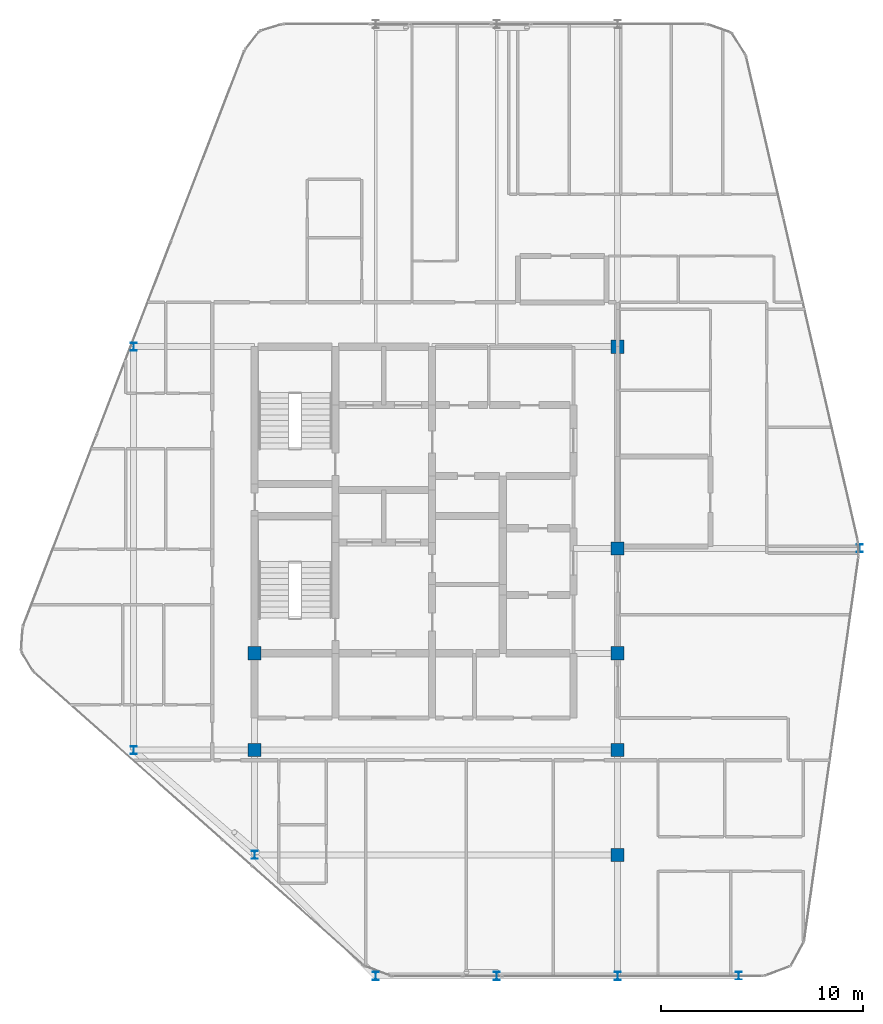
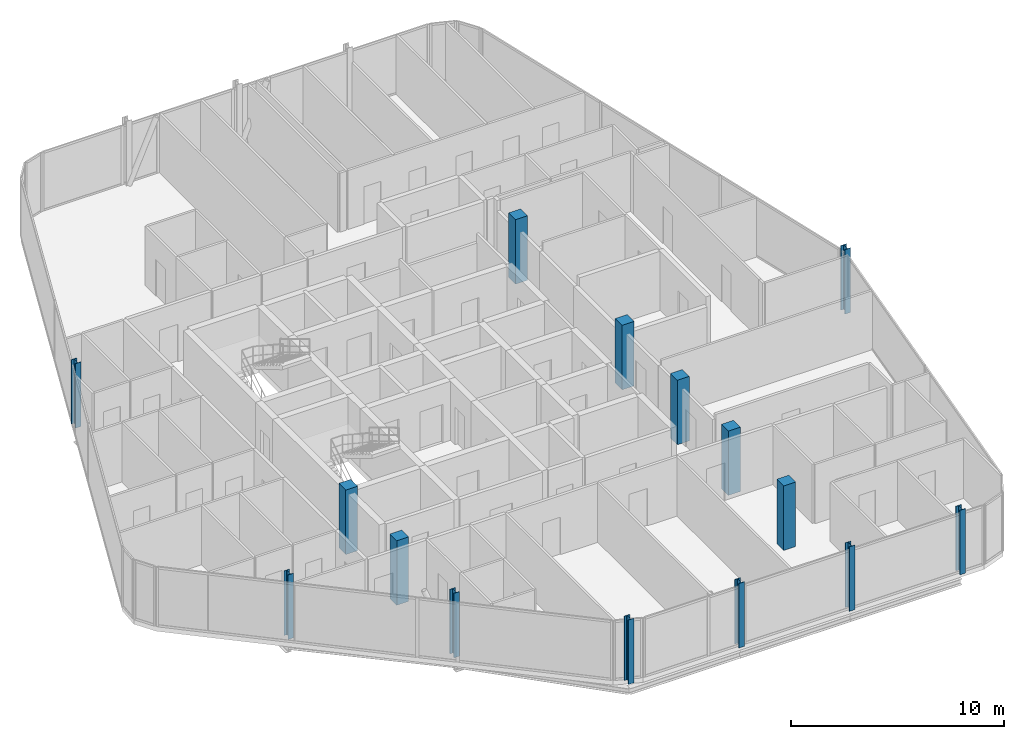
# One storey, part 1 of 27: 15 columns.
"""IFC4 building model written with IfcOpenShell, lengths in metres."""

from ifc_helpers import new_model, si_unit, direction, frame, origin, origin_2d, place, context, subcontext, project, spatial, rectangle, i_section, extrude, material, material_profile, profile_set, type_object, element, save


model = new_model("IFC4")

# Units and contexts
model_context = context("Model", 3, precision=1e-05, world=origin(), true_north=direction((0.0, 1.0)))
body_context = subcontext(model_context, "Body", "Model", "MODEL_VIEW")
ifc_project = project(units=[si_unit("LENGTHUNIT", "METRE"), si_unit("AREAUNIT", "SQUARE_METRE"), si_unit("VOLUMEUNIT", "CUBIC_METRE"), si_unit("PLANEANGLEUNIT", "RADIAN"), si_unit("MASSUNIT", "GRAM", prefix="KILO")], contexts=[model_context])

# Site, building, storey
site_placement = place(None, origin())
site = spatial("IfcSite", under=ifc_project, at=site_placement, CompositionType="ELEMENT")
building_placement = place(site_placement, origin())
building = spatial("IfcBuilding", under=site, at=building_placement, Name="Keshet Zoharim Tower", CompositionType="ELEMENT")
storey_placement = place(building_placement, frame((0.0, 0.0, 291.699951171875)))
storey = spatial("IfcBuildingStorey", under=building, at=storey_placement, Name="L73", CompositionType="ELEMENT", Elevation=291.699951171875)

# Columns
ifc_material_1 = material(Name="Steel S355", Category="steel")
ifc_material_profile_1 = material_profile(ifc_material_1, i_section(OverallWidth=0.300048828125, OverallDepth=0.39990234375, WebThickness=0.013427734375, FlangeThickness=0.02392578125, FilletRadius=0.027099609375, at=origin_2d()), Name="HEB400")
ifc_profile_set_1 = profile_set([ifc_material_profile_1], Name="Steel S355")
column_type_1 = type_object("IfcColumnType", Name="COL-HEB400", PredefinedType="COLUMN", material=ifc_profile_set_1)
for number, where, z_axis, x_axis, name in (
    (1, (9.0, 17.89990234375, 0.0), (0.0, 0.0, 1.0), (1.0, 0.0, 0.0), "L73 Column 2D"),
    (2, (9.0, 37.89990234375, 0.0), (0.0, 0.0, 1.0), (1.0, 0.0, 0.0), "L73 Column 2H"),
    (3, (15.0, 12.699951171875, 0.0), (0.0, 0.0, 1.0), (1.0, 0.0, 0.0), "L73 Column 3C"),
    (4, (21.0, 6.699951171875, 0.0), (0.0, 0.0, 1.0), (1.0, 0.0, 0.0), "L73 Column 4B"),
    (5, (27.0, 6.699951171875, 0.0), (0.0, 0.0, 1.0), (1.0, 0.0, 0.0), "L73 Column 5B"),
    (6, (33.0, 6.699951171875, 0.0), (0.0, 0.0, 1.0), (1.0, 0.0, 0.0), "L73 Column 6B"),
    (7, (39.0, 6.699951171875, 0.0), (0.0, 0.0, 1.0), (1.0, 0.0, 0.0), "L73 Column 7B"),
    (8, (45.0, 27.89990234375, 0.0), (0.0, 0.0, 1.0), (1.0, 0.0, 0.0), "L73 Column 8F"),
):
    element("IfcColumn", number, at=place(storey_placement, frame(where, z_axis=z_axis, x_axis=x_axis)), inside=storey, type_object=column_type_1, Name=name, PredefinedType="COLUMN", context=body_context, shape_type="SweptSolid", body=[
        extrude(i_section(OverallWidth=0.300048828125, OverallDepth=0.39990234375, WebThickness=0.013427734375, FlangeThickness=0.02392578125, FilletRadius=0.027099609375, at=origin_2d()), origin(), (0.0, 0.0, 1.0), 3.699951171875),
    ])
ifc_material_2 = material(Name="Concrete C50/60", Category="concrete")
ifc_material_profile_2 = material_profile(ifc_material_2, rectangle(XDim=0.64990234375, YDim=0.64990234375, at=origin_2d()), Name="RC650x650")
ifc_profile_set_2 = profile_set([ifc_material_profile_2], Name="Concrete C50/60")
column_type_2 = type_object("IfcColumnType", Name="COL-RC650", PredefinedType="COLUMN", material=ifc_profile_set_2)
for number, where, z_axis, x_axis, name in (
    (9, (15.0, 17.89990234375, 0.0), (0.0, 0.0, 1.0), (1.0, 0.0, 0.0), "L73 Column 3D"),
    (10, (15.0, 22.699951171875, 0.0), (0.0, 0.0, 1.0), (1.0, 0.0, 0.0), "L73 Column 3E"),
    (11, (33.0, 12.699951171875, 0.0), (0.0, 0.0, 1.0), (1.0, 0.0, 0.0), "L73 Column 6C"),
    (12, (33.0, 17.89990234375, 0.0), (0.0, 0.0, 1.0), (1.0, 0.0, 0.0), "L73 Column 6D"),
    (13, (33.0, 22.699951171875, 0.0), (0.0, 0.0, 1.0), (1.0, 0.0, 0.0), "L73 Column 6E"),
    (14, (33.0, 27.89990234375, 0.0), (0.0, 0.0, 1.0), (1.0, 0.0, 0.0), "L73 Column 6F"),
    (15, (33.0, 37.89990234375, 0.0), (0.0, 0.0, 1.0), (1.0, 0.0, 0.0), "L73 Column 6H"),
):
    element("IfcColumn", number, at=place(storey_placement, frame(where, z_axis=z_axis, x_axis=x_axis)), inside=storey, type_object=column_type_2, Name=name, PredefinedType="COLUMN", context=body_context, shape_type="SweptSolid", body=[
        extrude(rectangle(XDim=0.64990234375, YDim=0.64990234375, at=origin_2d()), origin(), (0.0, 0.0, 1.0), 3.699951171875),
    ])

save(model, "model.ifc")
